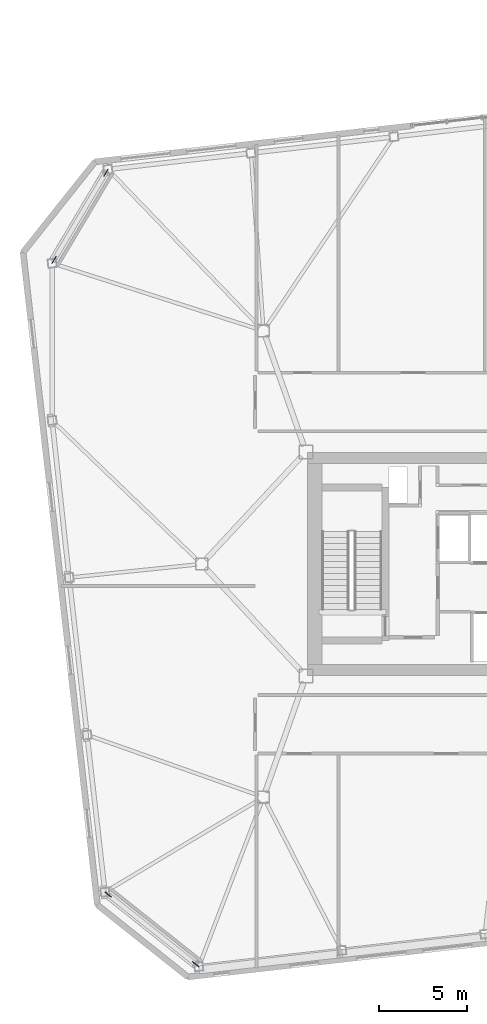
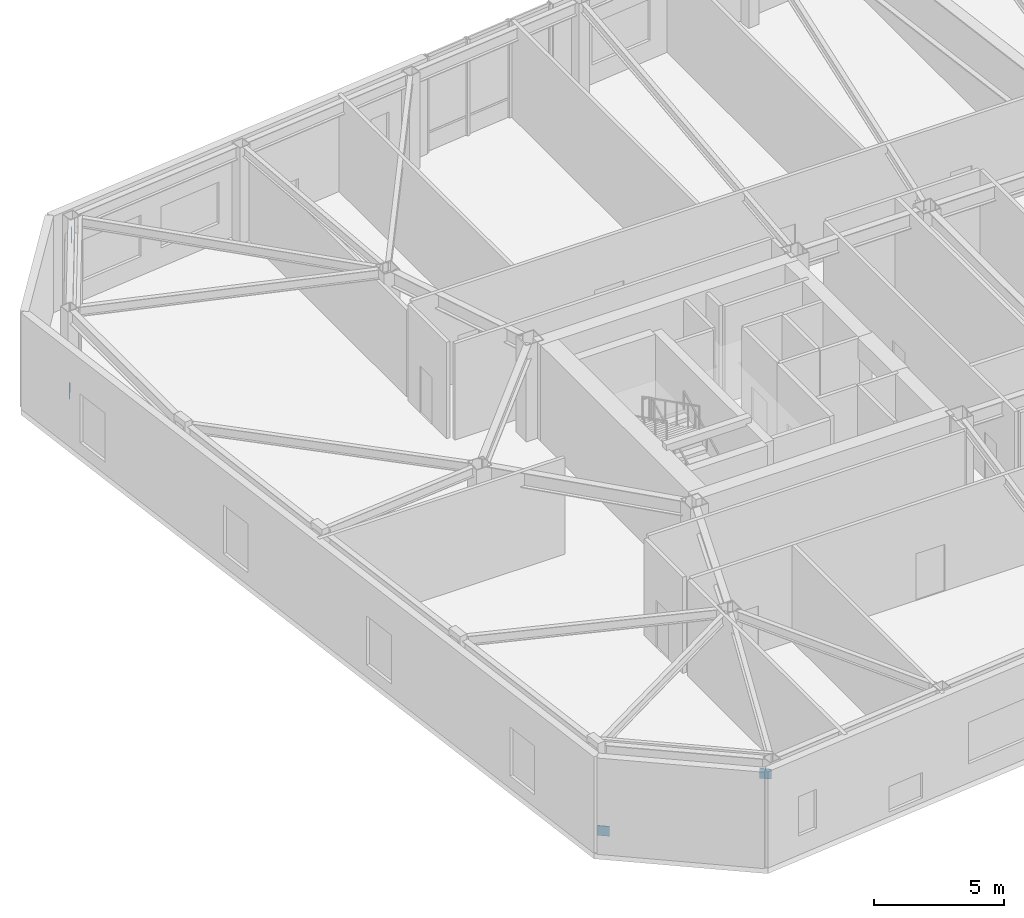
# One storey, part 19 of 21: 4 discrete accessories.
"""IFC4 building model written with IfcOpenShell, lengths in metres."""

from ifc_helpers import new_model, si_unit, direction, frame, origin, origin_2d, place, context, subcontext, project, spatial, rectangle, extrude, material, type_object, element, save


model = new_model("IFC4")

# Units and contexts
model_context = context("Model", 3, precision=1e-05, world=origin(), true_north=direction((0.0, 1.0)))
body_context = subcontext(model_context, "Body", "Model", "MODEL_VIEW")
ifc_project = project(units=[si_unit("LENGTHUNIT", "METRE"), si_unit("AREAUNIT", "SQUARE_METRE"), si_unit("VOLUMEUNIT", "CUBIC_METRE"), si_unit("PLANEANGLEUNIT", "RADIAN"), si_unit("MASSUNIT", "GRAM", prefix="KILO")], contexts=[model_context])

# Site, building, storey
site_placement = place(None, origin())
site = spatial("IfcSite", under=ifc_project, at=site_placement, CompositionType="ELEMENT")
building_placement = place(site_placement, origin())
building = spatial("IfcBuilding", under=site, at=building_placement, Name="Tavrogorsk Clinical Tower", CompositionType="ELEMENT")
storey_placement = place(building_placement, frame((0.0, 0.0, 238.199951171875)))
storey = spatial("IfcBuildingStorey", under=building, at=storey_placement, Name="L55", CompositionType="ELEMENT", Elevation=238.199951171875)

# Discrete accessories
ifc_material = material(Name="Structural steel S440", Category="steel")
discrete_accessory_type = type_object("IfcDiscreteAccessoryType", Name="GussetPlateBracket_25", PredefinedType="BRACKET", material=ifc_material)
for number, where, z_axis, x_axis, name in (
    (1, (-36.35595703125, 17.224609375, 0.19970703125), (0.0, 0.0, 1.0), (0.511443073004, 0.859317160934, 0.0), "L55 Brace Gusset Plate EXOCRN-L55-3-A"),
    (2, (-33.422607421875, 22.153564453125, 3.530517578125), (0.0, 0.0, 1.0), (0.511443073004, 0.859317160934, 0.0), "L55 Brace Gusset Plate EXOCRN-L55-3-B"),
    (3, (-33.298828125, -18.71875, 0.190673828125), (0.0, 0.0, 1.0), (0.782608156852, -0.622514636638, 0.0), "L55 Brace Gusset Plate EXOCRN-L55-4-A"),
    (4, (-28.34326171875, -22.660400390625, 3.53955078125), (0.0, 0.0, 1.0), (0.782608156852, -0.622514636638, 0.0), "L55 Brace Gusset Plate EXOCRN-L55-4-B"),
):
    element("IfcDiscreteAccessory", number, at=place(storey_placement, frame(where, z_axis=z_axis, x_axis=x_axis)), inside=storey, type_object=discrete_accessory_type, Name=name, PredefinedType="BRACKET", context=body_context, shape_type="SweptSolid", body=[
        extrude(rectangle(XDim=0.4599609375, YDim=0.0400390625, at=origin_2d()), origin(), (0.0, 0.0, 1.0), 0.4599609375),
    ])

save(model, "model.ifc")
